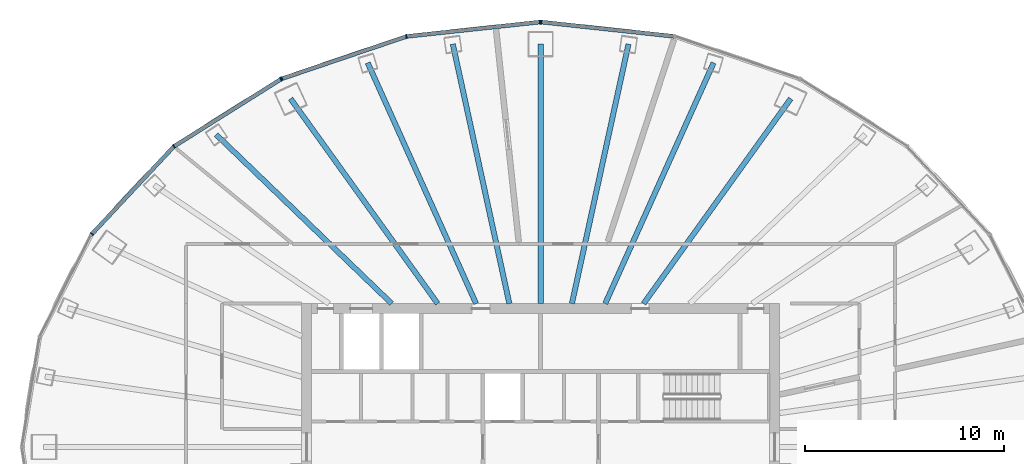
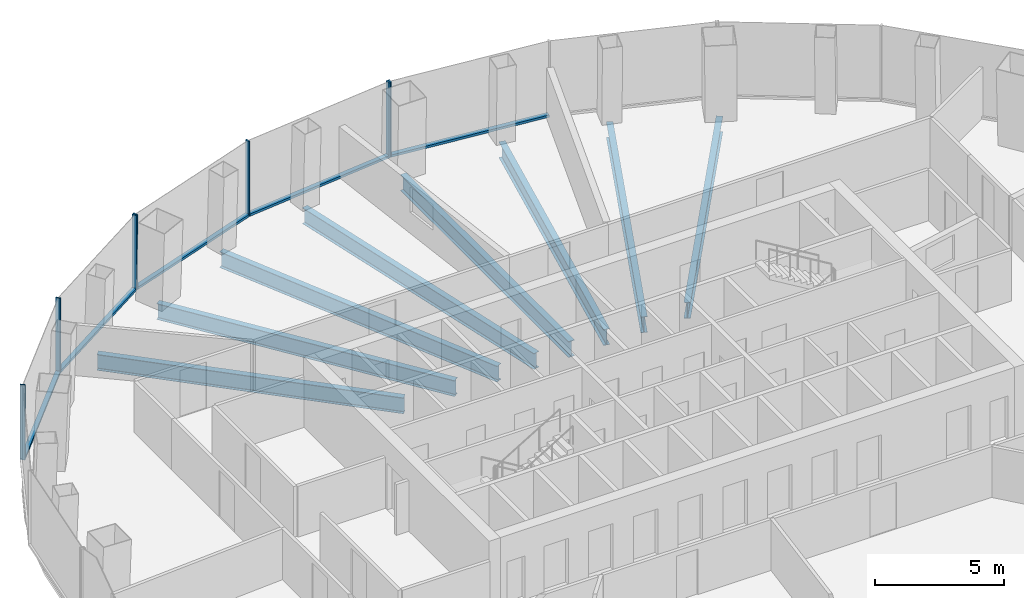
# One storey, part 5 of 12: 12 members, 8 beams, 3 elements without a shape of their own.
"""IFC4 building model written with IfcOpenShell, lengths in metres."""

from ifc_helpers import new_model, si_unit, direction, frame, origin, origin_2d, place, context, subcontext, project, spatial, rectangle, i_section, extrude, material, layer, layer_set, material_profile, profile_set, type_object, element, aggregate, save


model = new_model("IFC4")

# Units and contexts
model_context = context("Model", 3, precision=1e-05, world=origin(), true_north=direction((0.0, 1.0)))
body_context = subcontext(model_context, "Body", "Model", "MODEL_VIEW")
ifc_project = project(units=[si_unit("LENGTHUNIT", "METRE"), si_unit("AREAUNIT", "SQUARE_METRE"), si_unit("VOLUMEUNIT", "CUBIC_METRE"), si_unit("PLANEANGLEUNIT", "RADIAN"), si_unit("MASSUNIT", "GRAM", prefix="KILO")], contexts=[model_context])

# Site, building, storey
site_placement = place(None, origin())
site = spatial("IfcSite", under=ifc_project, at=site_placement, CompositionType="ELEMENT")
building_placement = place(site_placement, origin())
building = spatial("IfcBuilding", under=site, at=building_placement, Name="Siaravel Broadcast Tower", CompositionType="ELEMENT")
storey_placement = place(building_placement, frame((0.0, 0.0, 100.800048828125)))
storey = spatial("IfcBuildingStorey", under=building, at=storey_placement, Name="L23", CompositionType="ELEMENT", Elevation=100.800048828125)

# Beams
ifc_material_1 = material(Name="Steel S355", Category="steel")
ifc_material_profile_1 = material_profile(ifc_material_1, i_section(OverallWidth=0.26513671875, OverallDepth=0.75390625, WebThickness=0.0126953125, FlangeThickness=0.017578125, FilletRadius=0.0166015625, at=origin_2d()))
ifc_profile_set_1 = profile_set([ifc_material_profile_1], Name="Steel S355")
beam_type = type_object("IfcBeamType", Name="BM-UB 762x267x147", PredefinedType="BEAM", material=ifc_profile_set_1)
beam_1_placement = place(storey_placement, frame((12.556396484375, 17.4873046875, -0.527099609375), z_axis=(-0.583242335, -0.812298208, 0.0), x_axis=(0.812298208, -0.583242335, 0.0)))
element("IfcBeam", 1, at=beam_1_placement, inside=storey, type_object=beam_type, Name="Radial beam RB07", PredefinedType="BEAM", context=body_context, shape_type="SweptSolid", body=[
    extrude(i_section(OverallWidth=0.26513671875, OverallDepth=0.75390625, WebThickness=0.0126953125, FlangeThickness=0.017578125, FilletRadius=0.0166015625, at=origin_2d()), origin(), (0.0, 0.0, 1.0), 12.66455078125),
])
beam_2_placement = place(storey_placement, frame((8.682373046875, 19.287109375, -0.527099609375), z_axis=(-0.410486441, -0.911866702, 0.0), x_axis=(0.911866702, -0.410486441, 0.0)))
element("IfcBeam", 2, at=beam_2_placement, inside=storey, type_object=beam_type, Name="Radial beam RB08", PredefinedType="BEAM", context=body_context, shape_type="SweptSolid", body=[
    extrude(i_section(OverallWidth=0.26513671875, OverallDepth=0.75390625, WebThickness=0.0126953125, FlangeThickness=0.017578125, FilletRadius=0.0166015625, at=origin_2d()), origin(), (0.0, 0.0, 1.0), 13.25537109375),
])
beam_3_placement = place(storey_placement, frame((4.409912109375, 20.224853515625, -0.527099609375), z_axis=(-0.213044702, -0.977042453, 0.0), x_axis=(0.977042453, -0.213044702, 0.0)))
element("IfcBeam", 3, at=beam_3_placement, inside=storey, type_object=beam_type, Name="Radial beam RB09", PredefinedType="BEAM", context=body_context, shape_type="SweptSolid", body=[
    extrude(i_section(OverallWidth=0.26513671875, OverallDepth=0.75390625, WebThickness=0.0126953125, FlangeThickness=0.017578125, FilletRadius=0.0166015625, at=origin_2d()), origin(), (0.0, 0.0, 1.0), 13.3310546875),
])
beam_4_placement = place(storey_placement, frame((0.0, 20.24072265625, -0.527099609375), z_axis=(0.0, -1.0, 0.0), x_axis=(1.0, 0.0, 0.0)))
element("IfcBeam", 4, at=beam_4_placement, inside=storey, type_object=beam_type, Name="Radial beam RB10", PredefinedType="BEAM", context=body_context, shape_type="SweptSolid", body=[
    extrude(i_section(OverallWidth=0.26513671875, OverallDepth=0.75390625, WebThickness=0.0126953125, FlangeThickness=0.017578125, FilletRadius=0.0166015625, at=origin_2d()), origin(), (0.0, 0.0, 1.0), 13.040771484375),
])
beam_5_placement = place(storey_placement, frame((-4.409912109375, 20.224853515625, -0.527099609375), z_axis=(0.213044702, -0.977042453, 0.0), x_axis=(0.977042453, 0.213044702, 0.0)))
element("IfcBeam", 5, at=beam_5_placement, inside=storey, type_object=beam_type, Name="Radial beam RB11", PredefinedType="BEAM", context=body_context, shape_type="SweptSolid", body=[
    extrude(i_section(OverallWidth=0.26513671875, OverallDepth=0.75390625, WebThickness=0.0126953125, FlangeThickness=0.017578125, FilletRadius=0.0166015625, at=origin_2d()), origin(), (0.0, 0.0, 1.0), 13.3310546875),
])
beam_6_placement = place(storey_placement, frame((-8.682373046875, 19.287109375, -0.527099609375), z_axis=(0.410486441, -0.911866702, 0.0), x_axis=(0.911866702, 0.410486441, 0.0)))
element("IfcBeam", 6, at=beam_6_placement, inside=storey, type_object=beam_type, Name="Radial beam RB12", PredefinedType="BEAM", context=body_context, shape_type="SweptSolid", body=[
    extrude(i_section(OverallWidth=0.26513671875, OverallDepth=0.75390625, WebThickness=0.0126953125, FlangeThickness=0.017578125, FilletRadius=0.0166015625, at=origin_2d()), origin(), (0.0, 0.0, 1.0), 13.25537109375),
])
beam_7_placement = place(storey_placement, frame((-12.556396484375, 17.4873046875, -0.527099609375), z_axis=(0.583242335, -0.812298208, 0.0), x_axis=(0.812298208, 0.583242335, 0.0)))
element("IfcBeam", 7, at=beam_7_placement, inside=storey, type_object=beam_type, Name="Radial beam RB13", PredefinedType="BEAM", context=body_context, shape_type="SweptSolid", body=[
    extrude(i_section(OverallWidth=0.26513671875, OverallDepth=0.75390625, WebThickness=0.0126953125, FlangeThickness=0.017578125, FilletRadius=0.0166015625, at=origin_2d()), origin(), (0.0, 0.0, 1.0), 12.66455078125),
])
beam_8_placement = place(storey_placement, frame((-16.293701171875, 15.688720703125, -0.527099609375), z_axis=(0.720346054, -0.693614852, 0.0), x_axis=(0.693614852, 0.720346054, 0.0)))
element("IfcBeam", 8, at=beam_8_placement, inside=storey, type_object=beam_type, Name="Radial beam RB14", PredefinedType="BEAM", context=body_context, shape_type="SweptSolid", body=[
    extrude(i_section(OverallWidth=0.26513671875, OverallDepth=0.75390625, WebThickness=0.0126953125, FlangeThickness=0.017578125, FilletRadius=0.0166015625, at=origin_2d()), origin(), (0.0, 0.0, 1.0), 12.238525390625),
])

# Curtain wall, member
ifc_material_2 = material(Name="Aluminium 6063-T6", Category="aluminium")
ifc_layer = layer(ifc_material_2, 0.199951171875)
ifc_layer_set = layer_set([ifc_layer], Name="Aluminium 6063-T6")
curtain_wall_type = type_object("IfcCurtainWallType", Name="Unitised curtain wall, zone 2", PredefinedType="NOTDEFINED", material=ifc_layer_set)
curtain_wall_1_placement = place(storey_placement, origin())
curtain_wall_1 = element("IfcCurtainWall", 9, at=curtain_wall_1_placement, inside=storey, type_object=curtain_wall_type, Name="L23 Unitised curtain wall, zone 2 03", PredefinedType="NOTDEFINED")
ifc_material_profile_2 = material_profile(ifc_material_2, rectangle(XDim=0.199951171875, YDim=0.06494140625, at=origin_2d()))
ifc_profile_set_2 = profile_set([ifc_material_profile_2], Name="Aluminium 6063-T6")
member_type_1 = type_object("IfcMemberType", Name="CW-Z2 mullion", PredefinedType="MULLION", material=ifc_profile_set_2)
member_1_placement = place(storey_placement, frame((0.0322265625, 21.334716796875, 0.0), z_axis=(0.0, 0.0, 1.0), x_axis=(-0.107217428, -0.994235597, 0.0)))
member_1 = element("IfcMember", 10, at=member_1_placement, type_object=member_type_1, Name="CW-Z2 mullion 3", PredefinedType="MULLION", context=body_context, shape_type="SweptSolid", body=[
    extrude(rectangle(XDim=0.199951171875, YDim=0.06494140625, at=origin_2d()), origin(), (0.0, 0.0, 1.0), 3.550048828125),
])

# Curtain wall, members
curtain_wall_2_placement = place(storey_placement, origin())
curtain_wall_2 = element("IfcCurtainWall", 11, at=curtain_wall_2_placement, inside=storey, type_object=curtain_wall_type, Name="L23 Unitised curtain wall, zone 2 04", PredefinedType="NOTDEFINED")
member_2_placement = place(storey_placement, frame((-0.0322265625, 21.334716796875, 0.0), z_axis=(0.0, 0.0, 1.0), x_axis=(0.107217428, -0.994235597, 0.0)))
member_2 = element("IfcMember", 12, at=member_2_placement, type_object=member_type_1, Name="CW-Z2 mullion 1", PredefinedType="MULLION", context=body_context, shape_type="SweptSolid", body=[
    extrude(rectangle(XDim=0.199951171875, YDim=0.06494140625, at=origin_2d()), origin(), (0.0, 0.0, 1.0), 3.550048828125),
])
member_3_placement = place(storey_placement, frame((-6.7373046875, 20.61181640625, 0.0), z_axis=(0.0, 0.0, 1.0), x_axis=(0.215557941, -0.976491052, 0.0)))
member_3 = element("IfcMember", 13, at=member_3_placement, type_object=member_type_1, Name="CW-Z2 mullion 2", PredefinedType="MULLION", context=body_context, shape_type="SweptSolid", body=[
    extrude(rectangle(XDim=0.199951171875, YDim=0.06494140625, at=origin_2d()), origin(), (0.0, 0.0, 1.0), 3.550048828125),
])
member_4_placement = place(storey_placement, frame((-12.9853515625, 18.491943359375, 0.0), z_axis=(0.0, 0.0, 1.0), x_axis=(0.321300433, -0.946977313, 0.0)))
member_4 = element("IfcMember", 14, at=member_4_placement, type_object=member_type_1, Name="CW-Z2 mullion 3", PredefinedType="MULLION", context=body_context, shape_type="SweptSolid", body=[
    extrude(rectangle(XDim=0.199951171875, YDim=0.06494140625, at=origin_2d()), origin(), (0.0, 0.0, 1.0), 3.550048828125),
])

curtain_wall_3_placement = place(storey_placement, origin())
curtain_wall_3 = element("IfcCurtainWall", 15, at=curtain_wall_3_placement, inside=storey, type_object=curtain_wall_type, Name="L23 Unitised curtain wall, zone 2 05", PredefinedType="NOTDEFINED")
member_5_placement = place(storey_placement, frame((-13.043701171875, 18.464111328125, 0.0), z_axis=(0.0, 0.0, 1.0), x_axis=(0.5321489, -0.846650783, 0.0)))
member_5 = element("IfcMember", 16, at=member_5_placement, type_object=member_type_1, Name="CW-Z2 mullion 1", PredefinedType="MULLION", context=body_context, shape_type="SweptSolid", body=[
    extrude(rectangle(XDim=0.199951171875, YDim=0.06494140625, at=origin_2d()), origin(), (0.0, 0.0, 1.0), 3.550048828125),
])
member_6_placement = place(storey_placement, frame((-18.408935546875, 15.091796875, 0.0), z_axis=(0.0, 0.0, 1.0), x_axis=(0.636218267, -0.771509117, 0.0)))
member_6 = element("IfcMember", 17, at=member_6_placement, type_object=member_type_1, Name="CW-Z2 mullion 2", PredefinedType="MULLION", context=body_context, shape_type="SweptSolid", body=[
    extrude(rectangle(XDim=0.199951171875, YDim=0.06494140625, at=origin_2d()), origin(), (0.0, 0.0, 1.0), 3.550048828125),
])
member_7_placement = place(storey_placement, frame((-22.526123046875, 10.69677734375, 0.0), z_axis=(0.0, 0.0, 1.0), x_axis=(0.729804854, -0.683655524, 0.0)))
member_7 = element("IfcMember", 18, at=member_7_placement, type_object=member_type_1, Name="CW-Z2 mullion 3", PredefinedType="MULLION", context=body_context, shape_type="SweptSolid", body=[
    extrude(rectangle(XDim=0.199951171875, YDim=0.06494140625, at=origin_2d()), origin(), (0.0, 0.0, 1.0), 3.550048828125),
])

# Member
ifc_material_profile_3 = material_profile(ifc_material_2, rectangle(XDim=0.199951171875, YDim=0.110107421875, at=origin_2d()))
ifc_profile_set_3 = profile_set([ifc_material_profile_3], Name="Aluminium 6063-T6")
member_type_2 = type_object("IfcMemberType", Name="CW-Z2 transom", PredefinedType="USERDEFINED", material=ifc_profile_set_3)
member_8_placement = place(storey_placement, frame((6.705078125, 20.615234375, 0.054931640625), z_axis=(-0.994236043, 0.107213291, 0.0), x_axis=(-0.107213291, -0.994236043, 0.0)))
member_8 = element("IfcMember", 19, at=member_8_placement, type_object=member_type_2, Name="CW-Z2 transom 2", ObjectType="TRANSOM", PredefinedType="USERDEFINED", context=body_context, shape_type="SweptSolid", body=[
    extrude(rectangle(XDim=0.199951171875, YDim=0.110107421875, at=origin_2d()), origin(), (0.0, 0.0, 1.0), 6.678955078125),
])

aggregate(curtain_wall_1, [member_1, member_8])

member_9_placement = place(storey_placement, frame((-0.064697265625, 21.331298828125, 0.054931640625), z_axis=(-0.994236043, -0.107213291, 0.0), x_axis=(0.107213291, -0.994236043, 0.0)))
member_9 = element("IfcMember", 20, at=member_9_placement, type_object=member_type_2, Name="CW-Z2 transom 1", ObjectType="TRANSOM", PredefinedType="USERDEFINED", context=body_context, shape_type="SweptSolid", body=[
    extrude(rectangle(XDim=0.199951171875, YDim=0.110107421875, at=origin_2d()), origin(), (0.0, 0.0, 1.0), 6.678955078125),
])

member_10_placement = place(storey_placement, frame((-6.76806640625, 20.601318359375, 0.054931640625), z_axis=(-0.946973015, -0.321313101, 0.0), x_axis=(0.321313101, -0.946973015, 0.0)))
member_10 = element("IfcMember", 21, at=member_10_placement, type_object=member_type_2, Name="CW-Z2 transom 2", ObjectType="TRANSOM", PredefinedType="USERDEFINED", context=body_context, shape_type="SweptSolid", body=[
    extrude(rectangle(XDim=0.199951171875, YDim=0.110107421875, at=origin_2d()), origin(), (0.0, 0.0, 1.0), 6.532958984375),
])

aggregate(curtain_wall_2, [member_2, member_3, member_4, member_9, member_10])

member_11_placement = place(storey_placement, frame((-13.0712890625, 18.44677734375, 0.054931640625), z_axis=(-0.846655089, -0.532142049, 0.0), x_axis=(0.532142049, -0.846655089, 0.0)))
member_11 = element("IfcMember", 22, at=member_11_placement, type_object=member_type_2, Name="CW-Z2 transom 1", ObjectType="TRANSOM", PredefinedType="USERDEFINED", context=body_context, shape_type="SweptSolid", body=[
    extrude(rectangle(XDim=0.199951171875, YDim=0.110107421875, at=origin_2d()), origin(), (0.0, 0.0, 1.0), 6.272216796875),
])

member_12_placement = place(storey_placement, frame((-18.431396484375, 15.068115234375, 0.054931640625), z_axis=(-0.6836357, -0.729823424, 0.0), x_axis=(0.729823424, -0.6836357, 0.0)))
member_12 = element("IfcMember", 23, at=member_12_placement, type_object=member_type_2, Name="CW-Z2 transom 2", ObjectType="TRANSOM", PredefinedType="USERDEFINED", context=body_context, shape_type="SweptSolid", body=[
    extrude(rectangle(XDim=0.199951171875, YDim=0.110107421875, at=origin_2d()), origin(), (0.0, 0.0, 1.0), 5.95703125),
])

aggregate(curtain_wall_3, [member_5, member_6, member_7, member_11, member_12])

save(model, "model.ifc")
